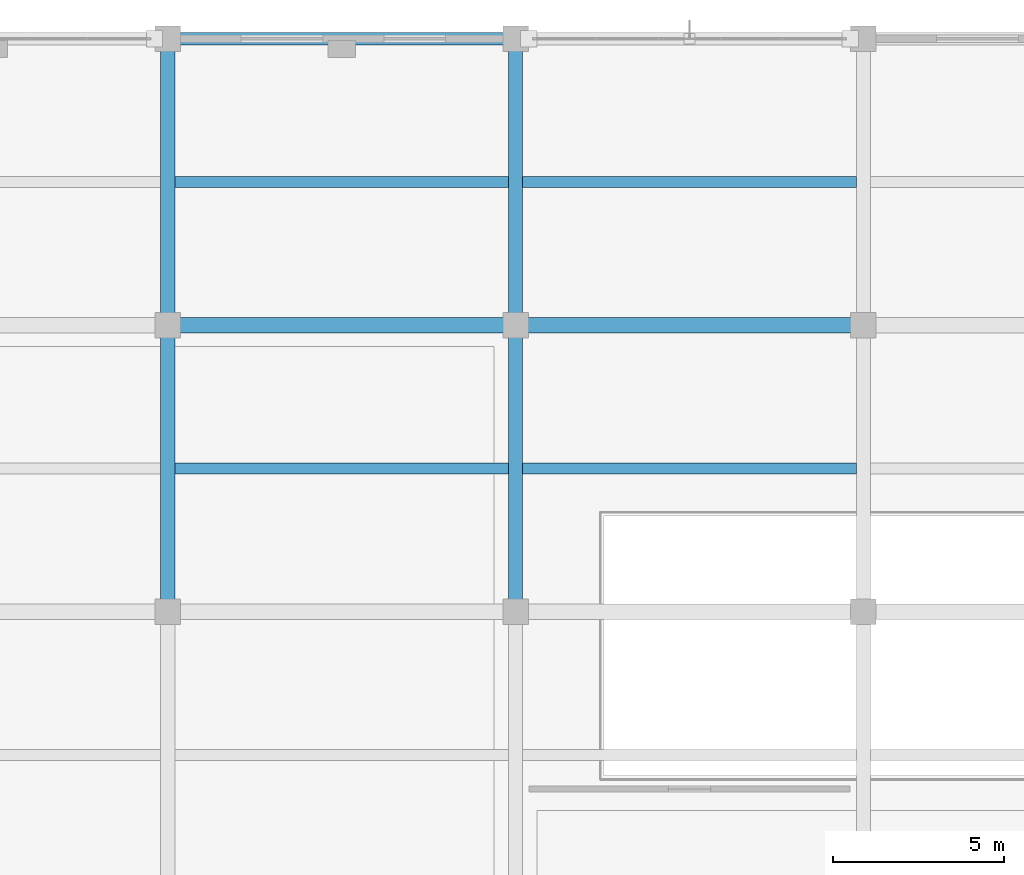
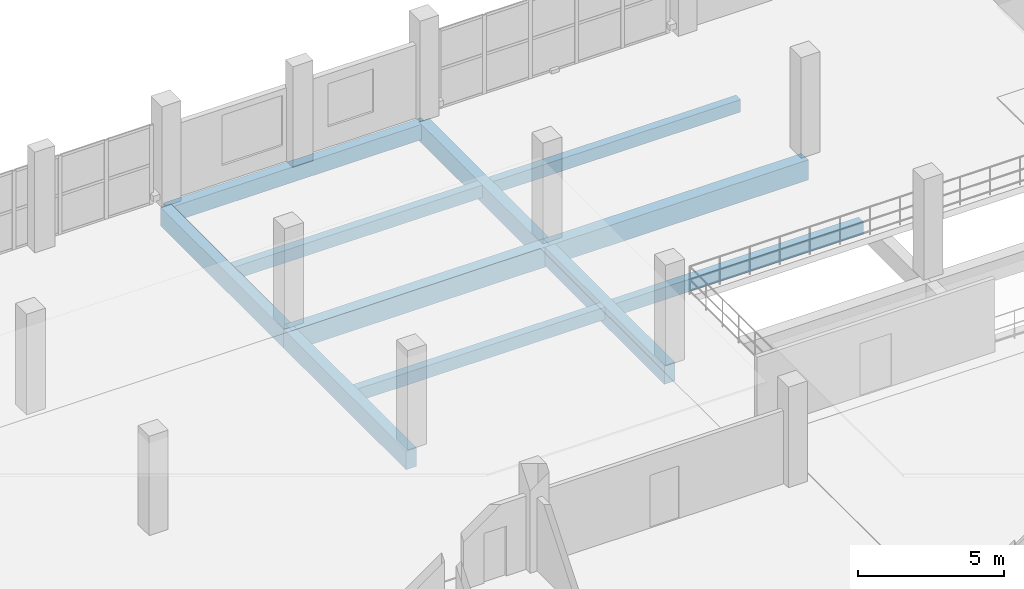
# One storey, part 94 of 157: 11 beams.
"""IFC4 building model written with IfcOpenShell, lengths in metres."""

import ifcopenshell
import ifcopenshell.guid

model = None  # the IFC model being written
_history = None  # IfcOwnerHistory: only IFC2X3 demands one
_inside = {}  # id of a spatial element -> (the spatial element, [elements in it])
_under = {}  # id of a project, library or spatial element -> (it, [spatial elements below it])
_declared = {}  # id of a project -> (the project, [libraries it declares])
_typed = {}  # id of a type object -> (the type object, [elements of that type])
_made_of = {}  # id of a material, layer set ... -> (it, [elements and type objects made of it])


def new_model(schema):
    """Start an empty IFC model of exactly this schema.

    Asked for "IFC4X3", IfcOpenShell would pick the latest addendum, in which some entities
    have other attributes; the version numbers below select the first issue.
    IFC2X3 requires an IfcOwnerHistory on every rooted entity: one is made here for all.
    """
    global model, _history
    if schema == "IFC4X3":
        model = ifcopenshell.file(schema_version=(4, 3, 0, 0))
    else:
        model = ifcopenshell.file(schema=schema)
    _inside.clear()
    _under.clear()
    _declared.clear()
    _typed.clear()
    _made_of.clear()
    _history = None
    if model.schema == "IFC2X3":
        org = make("IfcOrganization", Name="unknown")
        user = make(
            "IfcPersonAndOrganization",
            ThePerson=make("IfcPerson", FamilyName="unknown"),
            TheOrganization=org,
        )
        app = make(
            "IfcApplication",
            ApplicationDeveloper=org,
            Version="unknown",
            ApplicationFullName="unknown",
            ApplicationIdentifier="unknown",
        )
        _history = make(
            "IfcOwnerHistory",
            OwningUser=user,
            OwningApplication=app,
            ChangeAction="ADDED",
            CreationDate=0,
        )
    return model


def make(cls, **values):
    """One entity of the class cls with the attributes given. An attribute that is None is left unset."""
    return model.create_entity(
        cls, **{name: value for name, value in values.items() if value is not None}
    )


def rooted(cls, **values):
    """An entity with a GlobalId (a new one), such as an element, a storey or a relation."""
    return make(cls, GlobalId=ifcopenshell.guid.new(), OwnerHistory=_history, **values)


def si_unit(unit_type, name, prefix=None):
    """IfcSIUnit, for example si_unit("LENGTHUNIT", "METRE", prefix="MILLI")."""
    return make("IfcSIUnit", UnitType=unit_type, Prefix=prefix, Name=name)


def assignment(units):
    """IfcUnitAssignment: the units of a project."""
    return None if units is None else make("IfcUnitAssignment", Units=units)


def point(xyz):
    """IfcCartesianPoint."""
    return None if xyz is None else make("IfcCartesianPoint", Coordinates=xyz)


def direction(xyz):
    """IfcDirection."""
    return None if xyz is None else make("IfcDirection", DirectionRatios=xyz)


def frame(location, z_axis=None, x_axis=None):
    """IfcAxis2Placement3D, a coordinate frame: its origin and axes. An axis left out is left unset."""
    return make(
        "IfcAxis2Placement3D",
        Location=point(location),
        Axis=direction(z_axis),
        RefDirection=direction(x_axis),
    )


def frame_2d(location, x_axis=None):
    """IfcAxis2Placement2D, a coordinate frame in the plane: its origin and x axis."""
    return make(
        "IfcAxis2Placement2D", Location=point(location), RefDirection=direction(x_axis)
    )


def origin():
    """The frame at (0, 0, 0) with its axes left unset."""
    return frame((0.0, 0.0, 0.0))


def origin_2d():
    """The frame at (0, 0) in the plane with its x axis left unset."""
    return frame_2d((0.0, 0.0))


def place(relative_to, where):
    """IfcLocalPlacement: puts the frame where relative to a parent placement (None: the world)."""
    return make(
        "IfcLocalPlacement", PlacementRelTo=relative_to, RelativePlacement=where
    )


def context(
    kind, dimensions, precision=None, world=None, true_north=None, identifier=None
):
    """IfcGeometricRepresentationContext, for example the 3D "Model" context."""
    return make(
        "IfcGeometricRepresentationContext",
        ContextIdentifier=identifier,
        ContextType=kind,
        CoordinateSpaceDimension=dimensions,
        Precision=precision,
        WorldCoordinateSystem=world,
        TrueNorth=true_north,
    )


def subcontext(parent, identifier, kind, view, scale=None):
    """IfcGeometricRepresentationSubContext, for example "Body" below "Model"."""
    return make(
        "IfcGeometricRepresentationSubContext",
        ContextIdentifier=identifier,
        ContextType=kind,
        ParentContext=parent,
        TargetScale=scale,
        TargetView=view,
    )


def project(units=None, contexts=None):
    """IfcProject with its units and contexts."""
    return rooted(
        "IfcProject",
        Name="project",
        RepresentationContexts=contexts,
        UnitsInContext=assignment(units),
    )


def spatial(cls, under=None, at=None, **own):
    """A site, building, storey or space (cls), placed at a placement, below another one or the project."""
    s = rooted(cls, ObjectPlacement=at, **own)
    if under is not None:
        _under.setdefault(under.id(), (under, []))[1].append(s)
    return s


def profile(cls, at=None, kind="AREA", **sizes):
    """A parametric profile (cls). Its sizes go by their IFC names, for example OverallWidth=200.0."""
    return make(cls, ProfileType=kind, Position=at, **sizes)


def rectangle(**sizes):
    """IfcRectangleProfileDef."""
    return profile("IfcRectangleProfileDef", **sizes)


def extrude(swept, where, along, depth):
    """IfcExtrudedAreaSolid: the profile swept, set in the frame where, extruded along a direction by depth."""
    return make(
        "IfcExtrudedAreaSolid",
        SweptArea=swept,
        Position=where,
        ExtrudedDirection=direction(along),
        Depth=depth,
    )


def shape(context_of_items, identifier, shape_type, items):
    """IfcShapeRepresentation: the items that make up one representation, for example the "Body"."""
    return make(
        "IfcShapeRepresentation",
        ContextOfItems=context_of_items,
        RepresentationIdentifier=identifier,
        RepresentationType=shape_type,
        Items=items,
    )


def material(Name=None, Category=None):
    """IfcMaterial."""
    return make("IfcMaterial", Name=Name, Category=Category)


def material_profile(
    of_material, cross_section, Name=None, Category=None, Priority=None
):
    """IfcMaterialProfile: a cross section and its material."""
    return make(
        "IfcMaterialProfile",
        Name=Name,
        Material=of_material,
        Profile=cross_section,
        Priority=Priority,
        Category=Category,
    )


def profile_set(profiles, Name=None, composite=None):
    """IfcMaterialProfileSet."""
    return make(
        "IfcMaterialProfileSet",
        Name=Name,
        MaterialProfiles=profiles,
        CompositeProfile=composite,
    )


def made_of(thing, what):
    """Note that an element or type object is made of a material, layer set ...; save() writes the relation."""
    if what is not None:
        _made_of.setdefault(what.id(), (what, []))[1].append(thing)
    return thing


def type_object(cls, material=None, **own):
    """A type object (cls), such as IfcWallType, which elements share."""
    return made_of(rooted(cls, **own), material)


def element(
    cls,
    number,
    at=None,
    inside=None,
    cuts=None,
    type_object=None,
    material=None,
    context=None,
    identifier="Body",
    shape_type=None,
    held_by="IfcProductDefinitionShape",
    body=None,
    shapes=None,
    **own,
):
    """One element of the class cls, such as IfcWall. Its Tag is "e" and its number.

    at: its placement. inside: the storey or other place that contains it. cuts: it is an
    opening in that element (IfcRelVoidsElement). A single representation is given by context,
    identifier, shape_type and body (its items); several are given by shapes. held_by: the class
    of the entity that holds the representations. save() writes the other relations.
    """
    e = rooted(cls, Tag="e%d" % number, ObjectPlacement=at, **own)
    if body is not None:
        shapes = [shape(context, identifier, shape_type, body)]
    if shapes is not None:
        e.Representation = make(held_by, Representations=shapes)
    if inside is not None:
        _inside.setdefault(inside.id(), (inside, []))[1].append(e)
    if cuts is not None:
        rooted(
            "IfcRelVoidsElement", RelatingBuildingElement=cuts, RelatedOpeningElement=e
        )
    if type_object is not None:
        _typed.setdefault(type_object.id(), (type_object, []))[1].append(e)
    return made_of(e, material)


def aggregate(whole, parts):
    """IfcRelAggregates: a whole, such as a stair, and the parts it consists of."""
    return rooted("IfcRelAggregates", RelatingObject=whole, RelatedObjects=parts)


def save(model, path):
    """Write the relations noted so far, then the file.

    IfcRelAggregates (storeys below a building ...), IfcRelContainedInSpatialStructure (elements
    in a storey), IfcRelDefinesByType, IfcRelAssociatesMaterial and IfcRelDeclares: one each for
    every whole, place, type object, material and project.
    """
    for whole, parts in _under.values():
        aggregate(whole, parts)
    for where, things in _inside.values():
        rooted(
            "IfcRelContainedInSpatialStructure",
            RelatedElements=things,
            RelatingStructure=where,
        )
    for kind, things in _typed.values():
        rooted("IfcRelDefinesByType", RelatedObjects=things, RelatingType=kind)
    for what, things in _made_of.values():
        rooted("IfcRelAssociatesMaterial", RelatedObjects=things, RelatingMaterial=what)
    for by, libraries in _declared.values():
        rooted("IfcRelDeclares", RelatingContext=by, RelatedDefinitions=libraries)
    model.write(path)


model = new_model("IFC4")

# Units and contexts
model_context = context("Model", 3, precision=1e-05, world=origin(), true_north=direction((0.0, 1.0)))
body_context = subcontext(model_context, "Body", "Model", "MODEL_VIEW")
ifc_project = project(units=[si_unit("LENGTHUNIT", "METRE"), si_unit("AREAUNIT", "SQUARE_METRE"), si_unit("VOLUMEUNIT", "CUBIC_METRE"), si_unit("PLANEANGLEUNIT", "RADIAN"), si_unit("MASSUNIT", "GRAM", prefix="KILO")], contexts=[model_context])

# Site, building, storey
site_placement = place(None, origin())
site = spatial("IfcSite", under=ifc_project, at=site_placement, CompositionType="ELEMENT")
building_placement = place(site_placement, origin())
building = spatial("IfcBuilding", under=site, at=building_placement, Name="Brelvane Convention Centre", CompositionType="ELEMENT")
storey_placement = place(building_placement, frame((0.0, 0.0, 10.800048828125)))
storey = spatial("IfcBuildingStorey", under=building, at=storey_placement, Name="L02", CompositionType="ELEMENT", Elevation=10.800048828125)

# Beams
ifc_material_1 = material(Name="Concrete M40", Category="concrete")
ifc_material_profile_1 = material_profile(ifc_material_1, rectangle(XDim=0.4599609375, YDim=0.840087890625, at=origin_2d()), Name="RC 460x840")
ifc_profile_set_1 = profile_set([ifc_material_profile_1], Name="Concrete M40")
beam_type_1 = type_object("IfcBeamType", Name="RC Beam B-RC11 (RC 460x840)", PredefinedType="BEAM", material=ifc_profile_set_1)
beam_1_placement = place(storey_placement, frame((61.199951171875, 135.60009765625, -0.699951171875), z_axis=(1.0, 0.0, 0.0), x_axis=(0.0, 1.0, 0.0)))
element("IfcBeam", 1, at=beam_1_placement, inside=storey, type_object=beam_type_1, Name="L02 Beam 7-8/P", PredefinedType="BEAM", context=body_context, shape_type="SweptSolid", body=[
    extrude(rectangle(XDim=0.4599609375, YDim=0.840087890625, at=origin_2d()), origin(), (0.0, 0.0, 1.0), 10.199951171875),
])
beam_2_placement = place(storey_placement, frame((71.39990234375, 135.60009765625, -0.699951171875), z_axis=(1.0, 0.0, 0.0), x_axis=(0.0, 1.0, 0.0)))
element("IfcBeam", 2, at=beam_2_placement, inside=storey, type_object=beam_type_1, Name="L02 Beam 8-9/P", PredefinedType="BEAM", context=body_context, shape_type="SweptSolid", body=[
    extrude(rectangle(XDim=0.4599609375, YDim=0.840087890625, at=origin_2d()), origin(), (0.0, 0.0, 1.0), 10.2001953125),
])
ifc_material_2 = material(Name="Concrete M40", Category="concrete")
ifc_material_profile_2 = material_profile(ifc_material_2, rectangle(XDim=0.419921875, YDim=0.780029296875, at=origin_2d()), Name="RC 420x780")
ifc_profile_set_2 = profile_set([ifc_material_profile_2], Name="Concrete M40")
beam_type_2 = type_object("IfcBeamType", Name="RC Beam B-RC12 (RC 420x780)", PredefinedType="BEAM", material=ifc_profile_set_2)
beam_3_placement = place(storey_placement, frame((61.199951171875, 127.199951171875, -0.670166015625), z_axis=(0.0, 1.0, 0.0), x_axis=(-1.0, 0.0, 0.0)))
element("IfcBeam", 3, at=beam_3_placement, inside=storey, type_object=beam_type_2, Name="L02 Girder 7/N-P", PredefinedType="BEAM", context=body_context, shape_type="SweptSolid", body=[
    extrude(rectangle(XDim=0.419921875, YDim=0.780029296875, at=origin_2d()), origin(), (0.0, 0.0, 1.0), 8.400146484375),
])
beam_4_placement = place(storey_placement, frame((61.199951171875, 135.60009765625, -0.670166015625), z_axis=(0.0, 1.0, 0.0), x_axis=(-1.0, 0.0, 0.0)))
element("IfcBeam", 4, at=beam_4_placement, inside=storey, type_object=beam_type_2, Name="L02 Girder 7/P-Q", PredefinedType="BEAM", context=body_context, shape_type="SweptSolid", body=[
    extrude(rectangle(XDim=0.419921875, YDim=0.780029296875, at=origin_2d()), origin(), (0.0, 0.0, 1.0), 8.39990234375),
])
beam_5_placement = place(storey_placement, frame((71.39990234375, 127.199951171875, -0.670166015625), z_axis=(0.0, 1.0, 0.0), x_axis=(-1.0, 0.0, 0.0)))
element("IfcBeam", 5, at=beam_5_placement, inside=storey, type_object=beam_type_2, Name="L02 Girder 8/N-P", PredefinedType="BEAM", context=body_context, shape_type="SweptSolid", body=[
    extrude(rectangle(XDim=0.419921875, YDim=0.780029296875, at=origin_2d()), origin(), (0.0, 0.0, 1.0), 8.400146484375),
])
beam_6_placement = place(storey_placement, frame((71.39990234375, 135.60009765625, -0.670166015625), z_axis=(0.0, 1.0, 0.0), x_axis=(-1.0, 0.0, 0.0)))
element("IfcBeam", 6, at=beam_6_placement, inside=storey, type_object=beam_type_2, Name="L02 Girder 8/P-Q", PredefinedType="BEAM", context=body_context, shape_type="SweptSolid", body=[
    extrude(rectangle(XDim=0.419921875, YDim=0.780029296875, at=origin_2d()), origin(), (0.0, 0.0, 1.0), 8.39990234375),
])
ifc_material_3 = material(Name="Concrete M40", Category="concrete")
ifc_material_profile_3 = material_profile(ifc_material_3, rectangle(XDim=0.320068359375, YDim=0.52001953125, at=origin_2d()), Name="RC 320x520")
ifc_profile_set_3 = profile_set([ifc_material_profile_3], Name="Concrete M40")
beam_type_3 = type_object("IfcBeamType", Name="RC Joist J-RC4 (RC 320x520)", PredefinedType="JOIST", material=ifc_profile_set_3)
for number, where, z_axis, x_axis, name in (
    (7, (61.409912109375, 131.39990234375, -0.5400390625), (1.0, 0.0, 0.0), (0.0, 1.0, 0.0), "L02 Secondary Joist 7-8/NP"),
    (8, (61.409912109375, 139.800048828125, -0.5400390625), (1.0, 0.0, 0.0), (0.0, 1.0, 0.0), "L02 Secondary Joist 7-8/PQ"),
):
    element("IfcBeam", number, at=place(storey_placement, frame(where, z_axis=z_axis, x_axis=x_axis)), inside=storey, type_object=beam_type_3, Name=name, PredefinedType="JOIST", context=body_context, shape_type="SweptSolid", body=[
        extrude(rectangle(XDim=0.320068359375, YDim=0.52001953125, at=origin_2d()), origin(), (0.0, 0.0, 1.0), 9.780029296875),
    ])
for number, where, z_axis, x_axis, name in (
    (9, (71.610107421875, 131.39990234375, -0.5400390625), (1.0, 0.0, 0.0), (0.0, 1.0, 0.0), "L02 Secondary Joist 8-9/NP"),
    (10, (71.610107421875, 139.800048828125, -0.5400390625), (1.0, 0.0, 0.0), (0.0, 1.0, 0.0), "L02 Secondary Joist 8-9/PQ"),
):
    element("IfcBeam", number, at=place(storey_placement, frame(where, z_axis=z_axis, x_axis=x_axis)), inside=storey, type_object=beam_type_3, Name=name, PredefinedType="JOIST", context=body_context, shape_type="SweptSolid", body=[
        extrude(rectangle(XDim=0.320068359375, YDim=0.52001953125, at=origin_2d()), origin(), (0.0, 0.0, 1.0), 9.77978515625),
    ])
ifc_material_4 = material(Name="Concrete M40", Category="concrete")
ifc_material_profile_4 = material_profile(ifc_material_4, rectangle(XDim=0.360107421875, YDim=0.639892578125, at=origin_2d()), Name="RC 360x640")
ifc_profile_set_4 = profile_set([ifc_material_profile_4], Name="Concrete M40")
beam_type_4 = type_object("IfcBeamType", Name="RC Spandrel SP-RC3 (RC 360x640)", PredefinedType="SPANDREL", material=ifc_profile_set_4)
beam_7_placement = place(storey_placement, frame((61.199951171875, 144.0, -0.60009765625), z_axis=(1.0, 0.0, 0.0), x_axis=(0.0, 1.0, 0.0)))
element("IfcBeam", 11, at=beam_7_placement, inside=storey, type_object=beam_type_4, Name="L02 Beam 7-8/Q", PredefinedType="SPANDREL", context=body_context, shape_type="SweptSolid", body=[
    extrude(rectangle(XDim=0.360107421875, YDim=0.639892578125, at=origin_2d()), origin(), (0.0, 0.0, 1.0), 10.199951171875),
])

save(model, "model.ifc")
